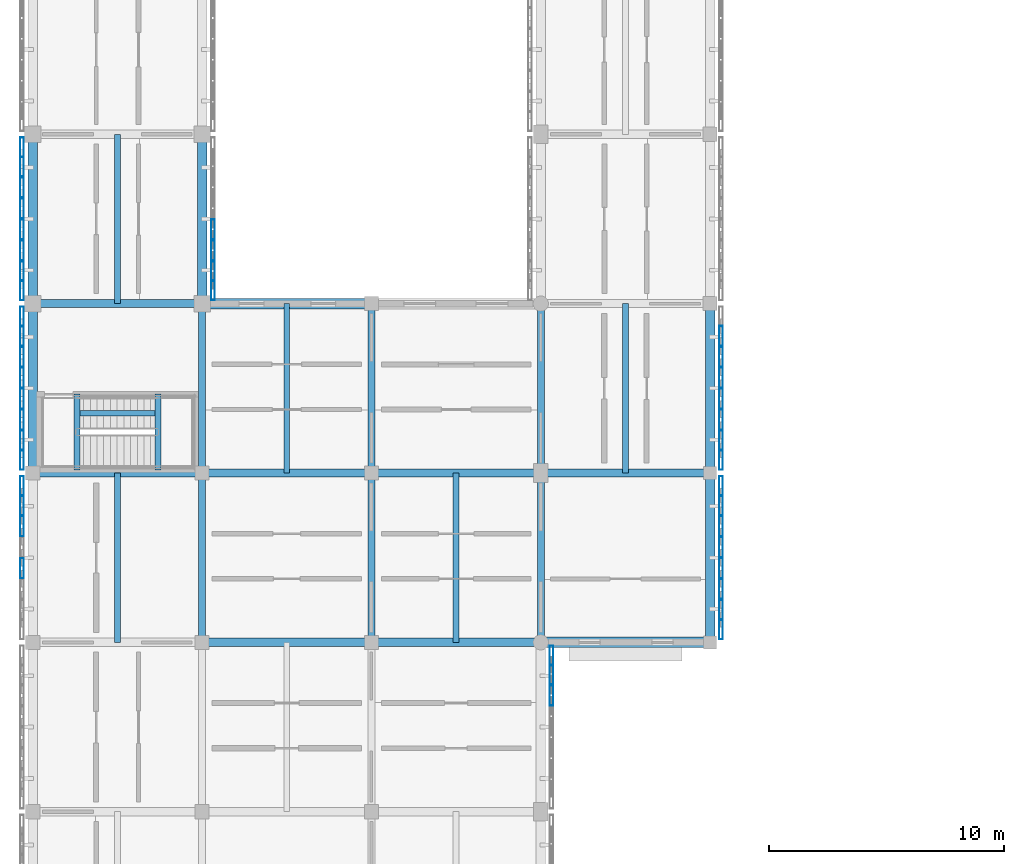
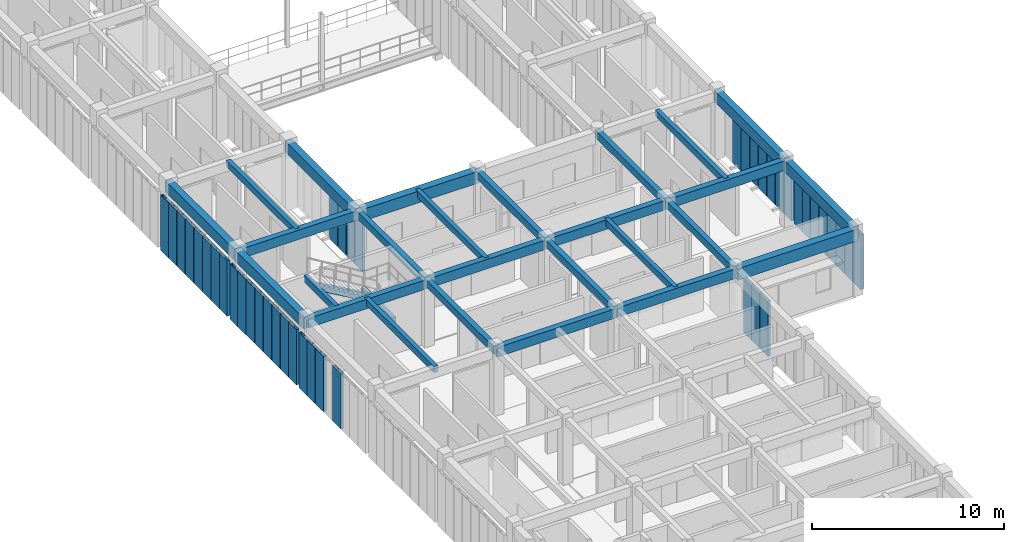
# One storey, part 10 of 171: 42 members, 28 beams, 7 elements without a shape of their own.
"""IFC4 building model written with IfcOpenShell, lengths in metres."""

from ifc_helpers import new_model, si_unit, direction, frame, origin, origin_2d, place, context, subcontext, project, spatial, rectangle, hollow_rectangle, extrude, material, material_profile, profile_set, type_object, element, aggregate, save


model = new_model("IFC4")

# Units and contexts
model_context = context("Model", 3, precision=1e-05, world=origin(), true_north=direction((0.0, 1.0)))
body_context = subcontext(model_context, "Body", "Model", "MODEL_VIEW")
ifc_project = project(units=[si_unit("LENGTHUNIT", "METRE"), si_unit("AREAUNIT", "SQUARE_METRE"), si_unit("VOLUMEUNIT", "CUBIC_METRE"), si_unit("PLANEANGLEUNIT", "RADIAN"), si_unit("MASSUNIT", "GRAM", prefix="KILO")], contexts=[model_context])

# Site, building, storey
site_placement = place(None, origin())
site = spatial("IfcSite", under=ifc_project, at=site_placement, CompositionType="ELEMENT")
building_placement = place(site_placement, origin())
building = spatial("IfcBuilding", under=site, at=building_placement, Name="Aldebral Square Health Centre", CompositionType="ELEMENT")
storey_placement = place(building_placement, frame((0.0, 0.0, 4.5)))
storey = spatial("IfcBuildingStorey", under=building, at=storey_placement, Name="L01", CompositionType="ELEMENT", Elevation=4.5)

# Beams
ifc_material_1 = material(Name="Concrete C40/50", Category="concrete")
ifc_material_profile_1 = material_profile(ifc_material_1, rectangle(XDim=0.35009765625, YDim=0.60009765625, at=origin_2d()), Name="RC 350x600")
ifc_profile_set_1 = profile_set([ifc_material_profile_1], Name="Concrete C40/50")
beam_type_1 = type_object("IfcBeamType", Name="BM-B2", PredefinedType="BEAM", material=ifc_profile_set_1)
for number, where, z_axis, x_axis, name in (
    (1, (0.0, 57.60009765625, 3.919921875), (1.0, 0.0, 0.0), (0.0, 1.0, 0.0), "L01 X-beam 1-2/G9"),
    (2, (0.0, 64.800048828125, 3.919921875), (1.0, 0.0, 0.0), (0.0, 1.0, 0.0), "L01 X-beam 1-2/G10"),
    (3, (7.199951171875, 50.39990234375, 3.919921875), (1.0, 0.0, 0.0), (0.0, 1.0, 0.0), "L01 X-beam 2-3/G8"),
    (4, (7.199951171875, 57.60009765625, 3.919921875), (1.0, 0.0, 0.0), (0.0, 1.0, 0.0), "L01 X-beam 2-3/G9"),
):
    element("IfcBeam", number, at=place(storey_placement, frame(where, z_axis=z_axis, x_axis=x_axis)), inside=storey, type_object=beam_type_1, Name=name, PredefinedType="BEAM", context=body_context, shape_type="SweptSolid", body=[
        extrude(rectangle(XDim=0.35009765625, YDim=0.60009765625, at=origin_2d()), origin(), (0.0, 0.0, 1.0), 7.199951171875),
    ])
for number, where, z_axis, x_axis, name in (
    (5, (14.39990234375, 50.39990234375, 3.919921875), (1.0, 0.0, 0.0), (0.0, 1.0, 0.0), "L01 X-beam 3-4/G8"),
    (6, (14.39990234375, 57.60009765625, 3.919921875), (1.0, 0.0, 0.0), (0.0, 1.0, 0.0), "L01 X-beam 3-4/G9"),
):
    element("IfcBeam", number, at=place(storey_placement, frame(where, z_axis=z_axis, x_axis=x_axis)), inside=storey, type_object=beam_type_1, Name=name, PredefinedType="BEAM", context=body_context, shape_type="SweptSolid", body=[
        extrude(rectangle(XDim=0.35009765625, YDim=0.60009765625, at=origin_2d()), origin(), (0.0, 0.0, 1.0), 7.2001953125),
    ])
beam_1_placement = place(storey_placement, frame((21.60009765625, 57.60009765625, 3.919921875), z_axis=(1.0, 0.0, 0.0), x_axis=(0.0, 1.0, 0.0)))
element("IfcBeam", 7, at=beam_1_placement, inside=storey, type_object=beam_type_1, Name="L01 X-beam 4-5/G9", PredefinedType="BEAM", context=body_context, shape_type="SweptSolid", body=[
    extrude(rectangle(XDim=0.35009765625, YDim=0.60009765625, at=origin_2d()), origin(), (0.0, 0.0, 1.0), 7.199951171875),
])
ifc_material_profile_2 = material_profile(ifc_material_1, rectangle(XDim=0.300048828125, YDim=0.449951171875, at=origin_2d()), Name="RC 300x450")
ifc_profile_set_2 = profile_set([ifc_material_profile_2], Name="Concrete C40/50")
beam_type_2 = type_object("IfcBeamType", Name="BM-B5", PredefinedType="BEAM", material=ifc_profile_set_2)
beam_2_placement = place(storey_placement, frame((7.199951171875, 50.39990234375, 3.9951171875), z_axis=(0.0, 1.0, 0.0), x_axis=(-1.0, 0.0, 0.0)))
element("IfcBeam", 8, at=beam_2_placement, inside=storey, type_object=beam_type_2, Name="L01 Y-beam G2/8-9", PredefinedType="BEAM", context=body_context, shape_type="SweptSolid", body=[
    extrude(rectangle(XDim=0.300048828125, YDim=0.449951171875, at=origin_2d()), origin(), (0.0, 0.0, 1.0), 7.2001953125),
])
beam_3_placement = place(storey_placement, frame((7.199951171875, 57.60009765625, 3.9951171875), z_axis=(0.0, 1.0, 0.0), x_axis=(-1.0, 0.0, 0.0)))
element("IfcBeam", 9, at=beam_3_placement, inside=storey, type_object=beam_type_2, Name="L01 Y-beam G2/9-10", PredefinedType="BEAM", context=body_context, shape_type="SweptSolid", body=[
    extrude(rectangle(XDim=0.300048828125, YDim=0.449951171875, at=origin_2d()), origin(), (0.0, 0.0, 1.0), 7.199951171875),
])
beam_4_placement = place(storey_placement, frame((14.39990234375, 50.39990234375, 3.9951171875), z_axis=(0.0, 1.0, 0.0), x_axis=(-1.0, 0.0, 0.0)))
element("IfcBeam", 10, at=beam_4_placement, inside=storey, type_object=beam_type_2, Name="L01 Y-beam G3/8-9", PredefinedType="BEAM", context=body_context, shape_type="SweptSolid", body=[
    extrude(rectangle(XDim=0.300048828125, YDim=0.449951171875, at=origin_2d()), origin(), (0.0, 0.0, 1.0), 7.2001953125),
])
beam_5_placement = place(storey_placement, frame((14.39990234375, 57.60009765625, 3.9951171875), z_axis=(0.0, 1.0, 0.0), x_axis=(-1.0, 0.0, 0.0)))
element("IfcBeam", 11, at=beam_5_placement, inside=storey, type_object=beam_type_2, Name="L01 Y-beam G3/9-10", PredefinedType="BEAM", context=body_context, shape_type="SweptSolid", body=[
    extrude(rectangle(XDim=0.300048828125, YDim=0.449951171875, at=origin_2d()), origin(), (0.0, 0.0, 1.0), 7.199951171875),
])
beam_6_placement = place(storey_placement, frame((21.60009765625, 50.39990234375, 3.9951171875), z_axis=(0.0, 1.0, 0.0), x_axis=(-1.0, 0.0, 0.0)))
element("IfcBeam", 12, at=beam_6_placement, inside=storey, type_object=beam_type_2, Name="L01 Y-beam G4/8-9", PredefinedType="BEAM", context=body_context, shape_type="SweptSolid", body=[
    extrude(rectangle(XDim=0.300048828125, YDim=0.449951171875, at=origin_2d()), origin(), (0.0, 0.0, 1.0), 7.2001953125),
])
beam_7_placement = place(storey_placement, frame((21.60009765625, 57.60009765625, 3.9951171875), z_axis=(0.0, 1.0, 0.0), x_axis=(-1.0, 0.0, 0.0)))
element("IfcBeam", 13, at=beam_7_placement, inside=storey, type_object=beam_type_2, Name="L01 Y-beam G4/9-10", PredefinedType="BEAM", context=body_context, shape_type="SweptSolid", body=[
    extrude(rectangle(XDim=0.300048828125, YDim=0.449951171875, at=origin_2d()), origin(), (0.0, 0.0, 1.0), 7.199951171875),
])
ifc_material_profile_3 = material_profile(ifc_material_1, rectangle(XDim=0.25, YDim=0.39990234375, at=origin_2d()), Name="RC 250x400")
ifc_profile_set_3 = profile_set([ifc_material_profile_3], Name="Concrete C40/50")
beam_type_3 = type_object("IfcBeamType", Name="BM-B6", PredefinedType="JOIST", material=ifc_profile_set_3)
beam_8_placement = place(storey_placement, frame((3.60009765625, 50.39990234375, 4.02001953125), z_axis=(0.0, 1.0, 0.0), x_axis=(-1.0, 0.0, 0.0)))
element("IfcBeam", 14, at=beam_8_placement, inside=storey, type_object=beam_type_3, Name="L01 secondary rib 1.8", PredefinedType="JOIST", context=body_context, shape_type="SweptSolid", body=[
    extrude(rectangle(XDim=0.25, YDim=0.39990234375, at=origin_2d()), origin(), (0.0, 0.0, 1.0), 7.2001953125),
])
for number, where, z_axis, x_axis, name in (
    (15, (3.60009765625, 64.800048828125, 4.02001953125), (0.0, 1.0, 0.0), (-1.0, 0.0, 0.0), "L01 secondary rib 1.10"),
    (16, (10.800048828125, 57.60009765625, 4.02001953125), (0.0, 1.0, 0.0), (-1.0, 0.0, 0.0), "L01 secondary rib 2.9"),
):
    element("IfcBeam", number, at=place(storey_placement, frame(where, z_axis=z_axis, x_axis=x_axis)), inside=storey, type_object=beam_type_3, Name=name, PredefinedType="JOIST", context=body_context, shape_type="SweptSolid", body=[
        extrude(rectangle(XDim=0.25, YDim=0.39990234375, at=origin_2d()), origin(), (0.0, 0.0, 1.0), 7.199951171875),
    ])
beam_9_placement = place(storey_placement, frame((18.0, 50.39990234375, 4.02001953125), z_axis=(0.0, 1.0, 0.0), x_axis=(-1.0, 0.0, 0.0)))
element("IfcBeam", 17, at=beam_9_placement, inside=storey, type_object=beam_type_3, Name="L01 secondary rib 3.8", PredefinedType="JOIST", context=body_context, shape_type="SweptSolid", body=[
    extrude(rectangle(XDim=0.25, YDim=0.39990234375, at=origin_2d()), origin(), (0.0, 0.0, 1.0), 7.2001953125),
])
beam_10_placement = place(storey_placement, frame((25.199951171875, 57.60009765625, 4.02001953125), z_axis=(0.0, 1.0, 0.0), x_axis=(-1.0, 0.0, 0.0)))
element("IfcBeam", 18, at=beam_10_placement, inside=storey, type_object=beam_type_3, Name="L01 secondary rib 4.9", PredefinedType="JOIST", context=body_context, shape_type="SweptSolid", body=[
    extrude(rectangle(XDim=0.25, YDim=0.39990234375, at=origin_2d()), origin(), (0.0, 0.0, 1.0), 7.199951171875),
])
for number, where, z_axis, x_axis, name in (
    (19, (5.320068359375, 57.72998046875, 2.050048828125), (0.0, 1.0, 0.0), (-1.0, 0.0, 0.0), "L01 WS-S11 half-landing beam"),
    (20, (1.8798828125, 57.72998046875, 4.02001953125), (0.0, 1.0, 0.0), (-1.0, 0.0, 0.0), "L01 WS-S11 upper landing beam"),
):
    element("IfcBeam", number, at=place(storey_placement, frame(where, z_axis=z_axis, x_axis=x_axis)), inside=storey, type_object=beam_type_3, Name=name, PredefinedType="JOIST", context=body_context, shape_type="SweptSolid", body=[
        extrude(rectangle(XDim=0.25, YDim=0.39990234375, at=origin_2d()), origin(), (0.0, 0.0, 1.0), 3.219970703125),
    ])
beam_11_placement = place(storey_placement, frame((5.320068359375, 60.139892578125, 2.050048828125), z_axis=(-0.867791792995, 0.0, 0.496927966622), x_axis=(0.0, -1.0, 0.0)))
element("IfcBeam", 21, at=beam_11_placement, inside=storey, type_object=beam_type_3, Name="L01 WS-S11 flight stringer beam", PredefinedType="JOIST", context=body_context, shape_type="SweptSolid", body=[
    extrude(rectangle(XDim=0.25, YDim=0.39990234375, at=origin_2d()), origin(), (0.0, 0.0, 1.0), 3.96435546875),
])
ifc_material_profile_4 = material_profile(ifc_material_1, rectangle(XDim=0.449951171875, YDim=0.75, at=origin_2d()), Name="RC 450x750")
ifc_profile_set_4 = profile_set([ifc_material_profile_4], Name="Concrete C40/50")
beam_type_4 = type_object("IfcBeamType", Name="BM-G2", PredefinedType="T_BEAM", material=ifc_profile_set_4)
for number, where, z_axis, x_axis, name in (
    (22, (7.199951171875, 64.800048828125, 3.844970703125), (1.0, 0.0, 0.0), (0.0, 1.0, 0.0), "L01 X-beam 2-3/G10"),
    (23, (21.60009765625, 50.39990234375, 3.844970703125), (1.0, 0.0, 0.0), (0.0, 1.0, 0.0), "L01 X-beam 4-5/G8"),
):
    element("IfcBeam", number, at=place(storey_placement, frame(where, z_axis=z_axis, x_axis=x_axis)), inside=storey, type_object=beam_type_4, Name=name, PredefinedType="T_BEAM", context=body_context, shape_type="SweptSolid", body=[
        extrude(rectangle(XDim=0.449951171875, YDim=0.75, at=origin_2d()), origin(), (0.0, 0.0, 1.0), 7.199951171875),
    ])
ifc_material_profile_5 = material_profile(ifc_material_1, rectangle(XDim=0.39990234375, YDim=0.699951171875, at=origin_2d()), Name="RC 400x700")
ifc_profile_set_5 = profile_set([ifc_material_profile_5], Name="Concrete C40/50")
beam_type_5 = type_object("IfcBeamType", Name="BM-G3", PredefinedType="T_BEAM", material=ifc_profile_set_5)
for number, where, z_axis, x_axis, name in (
    (24, (0.0, 57.60009765625, 3.8701171875), (0.0, 1.0, 0.0), (-1.0, 0.0, 0.0), "L01 Y-beam G1/9-10"),
    (25, (0.0, 64.800048828125, 3.8701171875), (0.0, 1.0, 0.0), (-1.0, 0.0, 0.0), "L01 Y-beam G1/10-11"),
    (26, (7.199951171875, 64.800048828125, 3.8701171875), (0.0, 1.0, 0.0), (-1.0, 0.0, 0.0), "L01 Y-beam G2/10-11"),
):
    element("IfcBeam", number, at=place(storey_placement, frame(where, z_axis=z_axis, x_axis=x_axis)), inside=storey, type_object=beam_type_5, Name=name, PredefinedType="T_BEAM", context=body_context, shape_type="SweptSolid", body=[
        extrude(rectangle(XDim=0.39990234375, YDim=0.699951171875, at=origin_2d()), origin(), (0.0, 0.0, 1.0), 7.199951171875),
    ])
beam_12_placement = place(storey_placement, frame((28.800048828125, 50.39990234375, 3.8701171875), z_axis=(0.0, 1.0, 0.0), x_axis=(-1.0, 0.0, 0.0)))
element("IfcBeam", 27, at=beam_12_placement, inside=storey, type_object=beam_type_5, Name="L01 Y-beam G5/8-9", PredefinedType="T_BEAM", context=body_context, shape_type="SweptSolid", body=[
    extrude(rectangle(XDim=0.39990234375, YDim=0.699951171875, at=origin_2d()), origin(), (0.0, 0.0, 1.0), 7.2001953125),
])
beam_13_placement = place(storey_placement, frame((28.800048828125, 57.60009765625, 3.8701171875), z_axis=(0.0, 1.0, 0.0), x_axis=(-1.0, 0.0, 0.0)))
element("IfcBeam", 28, at=beam_13_placement, inside=storey, type_object=beam_type_5, Name="L01 Y-beam G5/9-10", PredefinedType="T_BEAM", context=body_context, shape_type="SweptSolid", body=[
    extrude(rectangle(XDim=0.39990234375, YDim=0.699951171875, at=origin_2d()), origin(), (0.0, 0.0, 1.0), 7.199951171875),
])

# Curtain wall, members
ifc_material_2 = material(Name="Aluminium and low-E solar glass", Category="aluminium")
curtain_wall_type = type_object("IfcCurtainWallType", Name="CW-FIN-SYS", PredefinedType="USERDEFINED", material=ifc_material_2)
curtain_wall_1_placement = place(storey_placement, origin())
curtain_wall_1 = element("IfcCurtainWall", 29, at=curtain_wall_1_placement, inside=storey, type_object=curtain_wall_type, Name="L01 V4 finned curtain wall L01-V4-00-07-W", ObjectType="SOLAR_CURTAIN_WALL", PredefinedType="USERDEFINED")
ifc_material_3 = material(Name="Sienna-terracotta clad aluminium fin", Category="masonry")
ifc_material_profile_6 = material_profile(ifc_material_3, hollow_rectangle(XDim=0.159912109375, YDim=0.85009765625, WallThickness=0.006103515625, at=origin_2d()), Name="FIN 160x850x6")
ifc_profile_set_6 = profile_set([ifc_material_profile_6], Name="Sienna-terracotta clad aluminium fin")
member_type = type_object("IfcMemberType", Name="CWM-FIN", PredefinedType="MULLION", material=ifc_profile_set_6)
member_1_placement = place(storey_placement, frame((-0.4599609375, 57.0400390625, 0.0), z_axis=(0.0, 0.0, 1.0), x_axis=(1.0, 0.0, 0.0)))
member_1 = element("IfcMember", 30, at=member_1_placement, type_object=member_type, Name="CW1 mullion 1", PredefinedType="MULLION", context=body_context, shape_type="SweptSolid", body=[
    extrude(hollow_rectangle(XDim=0.159912109375, YDim=0.85009765625, WallThickness=0.006103515625, at=origin_2d()), origin(), (0.0, 0.0, 1.0), 3.52001953125),
])
member_2_placement = place(storey_placement, frame((-0.4599609375, 56.228515625, 0.0), z_axis=(0.0, 0.0, 1.0), x_axis=(1.0, 0.0, 0.0)))
member_2 = element("IfcMember", 31, at=member_2_placement, type_object=member_type, Name="CW1 mullion 2", PredefinedType="MULLION", context=body_context, shape_type="SweptSolid", body=[
    extrude(hollow_rectangle(XDim=0.159912109375, YDim=0.85009765625, WallThickness=0.006103515625, at=origin_2d()), origin(), (0.0, 0.0, 1.0), 3.52001953125),
])
member_3_placement = place(storey_placement, frame((-0.4599609375, 55.337158203125, 0.0), z_axis=(0.0, 0.0, 1.0), x_axis=(1.0, 0.0, 0.0)))
member_3 = element("IfcMember", 32, at=member_3_placement, type_object=member_type, Name="CW1 mullion 3", PredefinedType="MULLION", context=body_context, shape_type="SweptSolid", body=[
    extrude(hollow_rectangle(XDim=0.159912109375, YDim=0.85009765625, WallThickness=0.006103515625, at=origin_2d()), origin(), (0.0, 0.0, 1.0), 3.52001953125),
])
member_4_placement = place(storey_placement, frame((-0.4599609375, 53.55419921875, 0.0), z_axis=(0.0, 0.0, 1.0), x_axis=(1.0, 0.0, 0.0)))
member_4 = element("IfcMember", 33, at=member_4_placement, type_object=member_type, Name="CW1 mullion 5", PredefinedType="MULLION", context=body_context, shape_type="SweptSolid", body=[
    extrude(hollow_rectangle(XDim=0.159912109375, YDim=0.85009765625, WallThickness=0.006103515625, at=origin_2d()), origin(), (0.0, 0.0, 1.0), 3.52001953125),
])
aggregate(curtain_wall_1, [member_1, member_2, member_3, member_4])

curtain_wall_2_placement = place(storey_placement, origin())
curtain_wall_2 = element("IfcCurtainWall", 34, at=curtain_wall_2_placement, inside=storey, type_object=curtain_wall_type, Name="L01 V4 finned curtain wall L01-V4-00-08-W", ObjectType="SOLAR_CURTAIN_WALL", PredefinedType="USERDEFINED")
member_5_placement = place(storey_placement, frame((-0.4599609375, 64.239990234375, 0.0), z_axis=(0.0, 0.0, 1.0), x_axis=(1.0, 0.0, 0.0)))
member_5 = element("IfcMember", 35, at=member_5_placement, type_object=member_type, Name="CW1 mullion 1", PredefinedType="MULLION", context=body_context, shape_type="SweptSolid", body=[
    extrude(hollow_rectangle(XDim=0.159912109375, YDim=0.85009765625, WallThickness=0.006103515625, at=origin_2d()), origin(), (0.0, 0.0, 1.0), 3.52001953125),
])
member_6_placement = place(storey_placement, frame((-0.4599609375, 63.428466796875, 0.0), z_axis=(0.0, 0.0, 1.0), x_axis=(1.0, 0.0, 0.0)))
member_6 = element("IfcMember", 36, at=member_6_placement, type_object=member_type, Name="CW1 mullion 2", PredefinedType="MULLION", context=body_context, shape_type="SweptSolid", body=[
    extrude(hollow_rectangle(XDim=0.159912109375, YDim=0.85009765625, WallThickness=0.006103515625, at=origin_2d()), origin(), (0.0, 0.0, 1.0), 3.52001953125),
])
member_7_placement = place(storey_placement, frame((-0.4599609375, 62.537109375, 0.0), z_axis=(0.0, 0.0, 1.0), x_axis=(1.0, 0.0, 0.0)))
member_7 = element("IfcMember", 37, at=member_7_placement, type_object=member_type, Name="CW1 mullion 3", PredefinedType="MULLION", context=body_context, shape_type="SweptSolid", body=[
    extrude(hollow_rectangle(XDim=0.159912109375, YDim=0.85009765625, WallThickness=0.006103515625, at=origin_2d()), origin(), (0.0, 0.0, 1.0), 3.52001953125),
])
member_8_placement = place(storey_placement, frame((-0.4599609375, 61.645751953125, 0.0), z_axis=(0.0, 0.0, 1.0), x_axis=(1.0, 0.0, 0.0)))
member_8 = element("IfcMember", 38, at=member_8_placement, type_object=member_type, Name="CW1 mullion 4", PredefinedType="MULLION", context=body_context, shape_type="SweptSolid", body=[
    extrude(hollow_rectangle(XDim=0.159912109375, YDim=0.85009765625, WallThickness=0.006103515625, at=origin_2d()), origin(), (0.0, 0.0, 1.0), 3.52001953125),
])
member_9_placement = place(storey_placement, frame((-0.4599609375, 60.75439453125, 0.0), z_axis=(0.0, 0.0, 1.0), x_axis=(1.0, 0.0, 0.0)))
member_9 = element("IfcMember", 39, at=member_9_placement, type_object=member_type, Name="CW1 mullion 5", PredefinedType="MULLION", context=body_context, shape_type="SweptSolid", body=[
    extrude(hollow_rectangle(XDim=0.159912109375, YDim=0.85009765625, WallThickness=0.006103515625, at=origin_2d()), origin(), (0.0, 0.0, 1.0), 3.52001953125),
])
member_10_placement = place(storey_placement, frame((-0.4599609375, 59.86279296875, 0.0), z_axis=(0.0, 0.0, 1.0), x_axis=(1.0, 0.0, 0.0)))
member_10 = element("IfcMember", 40, at=member_10_placement, type_object=member_type, Name="CW1 mullion 6", PredefinedType="MULLION", context=body_context, shape_type="SweptSolid", body=[
    extrude(hollow_rectangle(XDim=0.159912109375, YDim=0.85009765625, WallThickness=0.006103515625, at=origin_2d()), origin(), (0.0, 0.0, 1.0), 3.52001953125),
])
member_11_placement = place(storey_placement, frame((-0.4599609375, 58.971435546875, 0.0), z_axis=(0.0, 0.0, 1.0), x_axis=(1.0, 0.0, 0.0)))
member_11 = element("IfcMember", 41, at=member_11_placement, type_object=member_type, Name="CW1 mullion 7", PredefinedType="MULLION", context=body_context, shape_type="SweptSolid", body=[
    extrude(hollow_rectangle(XDim=0.159912109375, YDim=0.85009765625, WallThickness=0.006103515625, at=origin_2d()), origin(), (0.0, 0.0, 1.0), 3.52001953125),
])
member_12_placement = place(storey_placement, frame((-0.4599609375, 58.159912109375, 0.0), z_axis=(0.0, 0.0, 1.0), x_axis=(1.0, 0.0, 0.0)))
member_12 = element("IfcMember", 42, at=member_12_placement, type_object=member_type, Name="CW1 mullion 8", PredefinedType="MULLION", context=body_context, shape_type="SweptSolid", body=[
    extrude(hollow_rectangle(XDim=0.159912109375, YDim=0.85009765625, WallThickness=0.006103515625, at=origin_2d()), origin(), (0.0, 0.0, 1.0), 3.52001953125),
])
aggregate(curtain_wall_2, [member_5, member_6, member_7, member_8, member_9, member_10, member_11, member_12])

curtain_wall_3_placement = place(storey_placement, origin())
curtain_wall_3 = element("IfcCurtainWall", 43, at=curtain_wall_3_placement, inside=storey, type_object=curtain_wall_type, Name="L01 V4 finned curtain wall L01-V4-00-09-W", ObjectType="SOLAR_CURTAIN_WALL", PredefinedType="USERDEFINED")
member_13_placement = place(storey_placement, frame((-0.4599609375, 71.43994140625, 0.0), z_axis=(0.0, 0.0, 1.0), x_axis=(1.0, 0.0, 0.0)))
member_13 = element("IfcMember", 44, at=member_13_placement, type_object=member_type, Name="CW1 mullion 1", PredefinedType="MULLION", context=body_context, shape_type="SweptSolid", body=[
    extrude(hollow_rectangle(XDim=0.159912109375, YDim=0.85009765625, WallThickness=0.006103515625, at=origin_2d()), origin(), (0.0, 0.0, 1.0), 3.52001953125),
])
member_14_placement = place(storey_placement, frame((-0.4599609375, 70.628662109375, 0.0), z_axis=(0.0, 0.0, 1.0), x_axis=(1.0, 0.0, 0.0)))
member_14 = element("IfcMember", 45, at=member_14_placement, type_object=member_type, Name="CW1 mullion 2", PredefinedType="MULLION", context=body_context, shape_type="SweptSolid", body=[
    extrude(hollow_rectangle(XDim=0.159912109375, YDim=0.85009765625, WallThickness=0.006103515625, at=origin_2d()), origin(), (0.0, 0.0, 1.0), 3.52001953125),
])
member_15_placement = place(storey_placement, frame((-0.4599609375, 69.737060546875, 0.0), z_axis=(0.0, 0.0, 1.0), x_axis=(1.0, 0.0, 0.0)))
member_15 = element("IfcMember", 46, at=member_15_placement, type_object=member_type, Name="CW1 mullion 3", PredefinedType="MULLION", context=body_context, shape_type="SweptSolid", body=[
    extrude(hollow_rectangle(XDim=0.159912109375, YDim=0.85009765625, WallThickness=0.006103515625, at=origin_2d()), origin(), (0.0, 0.0, 1.0), 3.52001953125),
])
member_16_placement = place(storey_placement, frame((-0.4599609375, 68.845703125, 0.0), z_axis=(0.0, 0.0, 1.0), x_axis=(1.0, 0.0, 0.0)))
member_16 = element("IfcMember", 47, at=member_16_placement, type_object=member_type, Name="CW1 mullion 4", PredefinedType="MULLION", context=body_context, shape_type="SweptSolid", body=[
    extrude(hollow_rectangle(XDim=0.159912109375, YDim=0.85009765625, WallThickness=0.006103515625, at=origin_2d()), origin(), (0.0, 0.0, 1.0), 3.52001953125),
])
member_17_placement = place(storey_placement, frame((-0.4599609375, 67.954345703125, 0.0), z_axis=(0.0, 0.0, 1.0), x_axis=(1.0, 0.0, 0.0)))
member_17 = element("IfcMember", 48, at=member_17_placement, type_object=member_type, Name="CW1 mullion 5", PredefinedType="MULLION", context=body_context, shape_type="SweptSolid", body=[
    extrude(hollow_rectangle(XDim=0.159912109375, YDim=0.85009765625, WallThickness=0.006103515625, at=origin_2d()), origin(), (0.0, 0.0, 1.0), 3.52001953125),
])
member_18_placement = place(storey_placement, frame((-0.4599609375, 67.062744140625, 0.0), z_axis=(0.0, 0.0, 1.0), x_axis=(1.0, 0.0, 0.0)))
member_18 = element("IfcMember", 49, at=member_18_placement, type_object=member_type, Name="CW1 mullion 6", PredefinedType="MULLION", context=body_context, shape_type="SweptSolid", body=[
    extrude(hollow_rectangle(XDim=0.159912109375, YDim=0.85009765625, WallThickness=0.006103515625, at=origin_2d()), origin(), (0.0, 0.0, 1.0), 3.52001953125),
])
member_19_placement = place(storey_placement, frame((-0.4599609375, 66.17138671875, 0.0), z_axis=(0.0, 0.0, 1.0), x_axis=(1.0, 0.0, 0.0)))
member_19 = element("IfcMember", 50, at=member_19_placement, type_object=member_type, Name="CW1 mullion 7", PredefinedType="MULLION", context=body_context, shape_type="SweptSolid", body=[
    extrude(hollow_rectangle(XDim=0.159912109375, YDim=0.85009765625, WallThickness=0.006103515625, at=origin_2d()), origin(), (0.0, 0.0, 1.0), 3.52001953125),
])
member_20_placement = place(storey_placement, frame((-0.4599609375, 65.360107421875, 0.0), z_axis=(0.0, 0.0, 1.0), x_axis=(1.0, 0.0, 0.0)))
member_20 = element("IfcMember", 51, at=member_20_placement, type_object=member_type, Name="CW1 mullion 8", PredefinedType="MULLION", context=body_context, shape_type="SweptSolid", body=[
    extrude(hollow_rectangle(XDim=0.159912109375, YDim=0.85009765625, WallThickness=0.006103515625, at=origin_2d()), origin(), (0.0, 0.0, 1.0), 3.52001953125),
])
aggregate(curtain_wall_3, [member_13, member_14, member_15, member_16, member_17, member_18, member_19, member_20])

curtain_wall_4_placement = place(storey_placement, origin())
curtain_wall_4 = element("IfcCurtainWall", 52, at=curtain_wall_4_placement, inside=storey, type_object=curtain_wall_type, Name="L01 V4 finned curtain wall L01-V4-00-09-E", ObjectType="SOLAR_CURTAIN_WALL", PredefinedType="USERDEFINED")
member_21_placement = place(storey_placement, frame((7.659912109375, 65.360107421875, 0.0), z_axis=(0.0, 0.0, 1.0), x_axis=(-1.0, 0.0, 0.0)))
member_21 = element("IfcMember", 53, at=member_21_placement, type_object=member_type, Name="CW1 mullion 1", PredefinedType="MULLION", context=body_context, shape_type="SweptSolid", body=[
    extrude(hollow_rectangle(XDim=0.159912109375, YDim=0.85009765625, WallThickness=0.006103515625, at=origin_2d()), origin(), (0.0, 0.0, 1.0), 3.52001953125),
])
member_22_placement = place(storey_placement, frame((7.659912109375, 66.17138671875, 0.0), z_axis=(0.0, 0.0, 1.0), x_axis=(-1.0, 0.0, 0.0)))
member_22 = element("IfcMember", 54, at=member_22_placement, type_object=member_type, Name="CW1 mullion 2", PredefinedType="MULLION", context=body_context, shape_type="SweptSolid", body=[
    extrude(hollow_rectangle(XDim=0.159912109375, YDim=0.85009765625, WallThickness=0.006103515625, at=origin_2d()), origin(), (0.0, 0.0, 1.0), 3.52001953125),
])
member_23_placement = place(storey_placement, frame((7.659912109375, 67.062744140625, 0.0), z_axis=(0.0, 0.0, 1.0), x_axis=(-1.0, 0.0, 0.0)))
member_23 = element("IfcMember", 55, at=member_23_placement, type_object=member_type, Name="CW1 mullion 3", PredefinedType="MULLION", context=body_context, shape_type="SweptSolid", body=[
    extrude(hollow_rectangle(XDim=0.159912109375, YDim=0.85009765625, WallThickness=0.006103515625, at=origin_2d()), origin(), (0.0, 0.0, 1.0), 3.52001953125),
])
member_24_placement = place(storey_placement, frame((7.659912109375, 67.954345703125, 0.0), z_axis=(0.0, 0.0, 1.0), x_axis=(-1.0, 0.0, 0.0)))
member_24 = element("IfcMember", 56, at=member_24_placement, type_object=member_type, Name="CW1 mullion 4", PredefinedType="MULLION", context=body_context, shape_type="SweptSolid", body=[
    extrude(hollow_rectangle(XDim=0.159912109375, YDim=0.85009765625, WallThickness=0.006103515625, at=origin_2d()), origin(), (0.0, 0.0, 1.0), 3.52001953125),
])
aggregate(curtain_wall_4, [member_21, member_22, member_23, member_24])

curtain_wall_5_placement = place(storey_placement, origin())
curtain_wall_5 = element("IfcCurtainWall", 57, at=curtain_wall_5_placement, inside=storey, type_object=curtain_wall_type, Name="L01 V6 finned curtain wall L01-V6-02-06-E", ObjectType="SOLAR_CURTAIN_WALL", PredefinedType="USERDEFINED")
member_25_placement = place(storey_placement, frame((22.06005859375, 48.13720703125, 0.0), z_axis=(0.0, 0.0, 1.0), x_axis=(-1.0, 0.0, 0.0)))
member_25 = element("IfcMember", 58, at=member_25_placement, type_object=member_type, Name="CW1 mullion 6", PredefinedType="MULLION", context=body_context, shape_type="SweptSolid", body=[
    extrude(hollow_rectangle(XDim=0.159912109375, YDim=0.85009765625, WallThickness=0.006103515625, at=origin_2d()), origin(), (0.0, 0.0, 1.0), 3.52001953125),
])
member_26_placement = place(storey_placement, frame((22.06005859375, 49.028564453125, 0.0), z_axis=(0.0, 0.0, 1.0), x_axis=(-1.0, 0.0, 0.0)))
member_26 = element("IfcMember", 59, at=member_26_placement, type_object=member_type, Name="CW1 mullion 7", PredefinedType="MULLION", context=body_context, shape_type="SweptSolid", body=[
    extrude(hollow_rectangle(XDim=0.159912109375, YDim=0.85009765625, WallThickness=0.006103515625, at=origin_2d()), origin(), (0.0, 0.0, 1.0), 3.52001953125),
])
member_27_placement = place(storey_placement, frame((22.06005859375, 49.840087890625, 0.0), z_axis=(0.0, 0.0, 1.0), x_axis=(-1.0, 0.0, 0.0)))
member_27 = element("IfcMember", 60, at=member_27_placement, type_object=member_type, Name="CW1 mullion 8", PredefinedType="MULLION", context=body_context, shape_type="SweptSolid", body=[
    extrude(hollow_rectangle(XDim=0.159912109375, YDim=0.85009765625, WallThickness=0.006103515625, at=origin_2d()), origin(), (0.0, 0.0, 1.0), 3.52001953125),
])
aggregate(curtain_wall_5, [member_25, member_26, member_27])

curtain_wall_6_placement = place(storey_placement, origin())
curtain_wall_6 = element("IfcCurtainWall", 61, at=curtain_wall_6_placement, inside=storey, type_object=curtain_wall_type, Name="L01 V4 finned curtain wall L01-V4-03-07-E", ObjectType="SOLAR_CURTAIN_WALL", PredefinedType="USERDEFINED")
member_28_placement = place(storey_placement, frame((29.260009765625, 50.9599609375, 0.0), z_axis=(0.0, 0.0, 1.0), x_axis=(-1.0, 0.0, 0.0)))
member_28 = element("IfcMember", 62, at=member_28_placement, type_object=member_type, Name="CW1 mullion 1", PredefinedType="MULLION", context=body_context, shape_type="SweptSolid", body=[
    extrude(hollow_rectangle(XDim=0.159912109375, YDim=0.85009765625, WallThickness=0.006103515625, at=origin_2d()), origin(), (0.0, 0.0, 1.0), 3.52001953125),
])
member_29_placement = place(storey_placement, frame((29.260009765625, 51.771484375, 0.0), z_axis=(0.0, 0.0, 1.0), x_axis=(-1.0, 0.0, 0.0)))
member_29 = element("IfcMember", 63, at=member_29_placement, type_object=member_type, Name="CW1 mullion 2", PredefinedType="MULLION", context=body_context, shape_type="SweptSolid", body=[
    extrude(hollow_rectangle(XDim=0.159912109375, YDim=0.85009765625, WallThickness=0.006103515625, at=origin_2d()), origin(), (0.0, 0.0, 1.0), 3.52001953125),
])
member_30_placement = place(storey_placement, frame((29.260009765625, 52.662841796875, 0.0), z_axis=(0.0, 0.0, 1.0), x_axis=(-1.0, 0.0, 0.0)))
member_30 = element("IfcMember", 64, at=member_30_placement, type_object=member_type, Name="CW1 mullion 3", PredefinedType="MULLION", context=body_context, shape_type="SweptSolid", body=[
    extrude(hollow_rectangle(XDim=0.159912109375, YDim=0.85009765625, WallThickness=0.006103515625, at=origin_2d()), origin(), (0.0, 0.0, 1.0), 3.52001953125),
])
member_31_placement = place(storey_placement, frame((29.260009765625, 53.55419921875, 0.0), z_axis=(0.0, 0.0, 1.0), x_axis=(-1.0, 0.0, 0.0)))
member_31 = element("IfcMember", 65, at=member_31_placement, type_object=member_type, Name="CW1 mullion 4", PredefinedType="MULLION", context=body_context, shape_type="SweptSolid", body=[
    extrude(hollow_rectangle(XDim=0.159912109375, YDim=0.85009765625, WallThickness=0.006103515625, at=origin_2d()), origin(), (0.0, 0.0, 1.0), 3.52001953125),
])
member_32_placement = place(storey_placement, frame((29.260009765625, 54.44580078125, 0.0), z_axis=(0.0, 0.0, 1.0), x_axis=(-1.0, 0.0, 0.0)))
member_32 = element("IfcMember", 66, at=member_32_placement, type_object=member_type, Name="CW1 mullion 5", PredefinedType="MULLION", context=body_context, shape_type="SweptSolid", body=[
    extrude(hollow_rectangle(XDim=0.159912109375, YDim=0.85009765625, WallThickness=0.006103515625, at=origin_2d()), origin(), (0.0, 0.0, 1.0), 3.52001953125),
])
member_33_placement = place(storey_placement, frame((29.260009765625, 55.337158203125, 0.0), z_axis=(0.0, 0.0, 1.0), x_axis=(-1.0, 0.0, 0.0)))
member_33 = element("IfcMember", 67, at=member_33_placement, type_object=member_type, Name="CW1 mullion 6", PredefinedType="MULLION", context=body_context, shape_type="SweptSolid", body=[
    extrude(hollow_rectangle(XDim=0.159912109375, YDim=0.85009765625, WallThickness=0.006103515625, at=origin_2d()), origin(), (0.0, 0.0, 1.0), 3.52001953125),
])
member_34_placement = place(storey_placement, frame((29.260009765625, 56.228515625, 0.0), z_axis=(0.0, 0.0, 1.0), x_axis=(-1.0, 0.0, 0.0)))
member_34 = element("IfcMember", 68, at=member_34_placement, type_object=member_type, Name="CW1 mullion 7", PredefinedType="MULLION", context=body_context, shape_type="SweptSolid", body=[
    extrude(hollow_rectangle(XDim=0.159912109375, YDim=0.85009765625, WallThickness=0.006103515625, at=origin_2d()), origin(), (0.0, 0.0, 1.0), 3.52001953125),
])
member_35_placement = place(storey_placement, frame((29.260009765625, 57.0400390625, 0.0), z_axis=(0.0, 0.0, 1.0), x_axis=(-1.0, 0.0, 0.0)))
member_35 = element("IfcMember", 69, at=member_35_placement, type_object=member_type, Name="CW1 mullion 8", PredefinedType="MULLION", context=body_context, shape_type="SweptSolid", body=[
    extrude(hollow_rectangle(XDim=0.159912109375, YDim=0.85009765625, WallThickness=0.006103515625, at=origin_2d()), origin(), (0.0, 0.0, 1.0), 3.52001953125),
])
aggregate(curtain_wall_6, [member_28, member_29, member_30, member_31, member_32, member_33, member_34, member_35])

curtain_wall_7_placement = place(storey_placement, origin())
curtain_wall_7 = element("IfcCurtainWall", 70, at=curtain_wall_7_placement, inside=storey, type_object=curtain_wall_type, Name="L01 V4 finned curtain wall L01-V4-03-08-E", ObjectType="SOLAR_CURTAIN_WALL", PredefinedType="USERDEFINED")
member_36_placement = place(storey_placement, frame((29.260009765625, 58.159912109375, 0.0), z_axis=(0.0, 0.0, 1.0), x_axis=(-1.0, 0.0, 0.0)))
member_36 = element("IfcMember", 71, at=member_36_placement, type_object=member_type, Name="CW1 mullion 1", PredefinedType="MULLION", context=body_context, shape_type="SweptSolid", body=[
    extrude(hollow_rectangle(XDim=0.159912109375, YDim=0.85009765625, WallThickness=0.006103515625, at=origin_2d()), origin(), (0.0, 0.0, 1.0), 3.52001953125),
])
member_37_placement = place(storey_placement, frame((29.260009765625, 58.971435546875, 0.0), z_axis=(0.0, 0.0, 1.0), x_axis=(-1.0, 0.0, 0.0)))
member_37 = element("IfcMember", 72, at=member_37_placement, type_object=member_type, Name="CW1 mullion 2", PredefinedType="MULLION", context=body_context, shape_type="SweptSolid", body=[
    extrude(hollow_rectangle(XDim=0.159912109375, YDim=0.85009765625, WallThickness=0.006103515625, at=origin_2d()), origin(), (0.0, 0.0, 1.0), 3.52001953125),
])
member_38_placement = place(storey_placement, frame((29.260009765625, 59.86279296875, 0.0), z_axis=(0.0, 0.0, 1.0), x_axis=(-1.0, 0.0, 0.0)))
member_38 = element("IfcMember", 73, at=member_38_placement, type_object=member_type, Name="CW1 mullion 3", PredefinedType="MULLION", context=body_context, shape_type="SweptSolid", body=[
    extrude(hollow_rectangle(XDim=0.159912109375, YDim=0.85009765625, WallThickness=0.006103515625, at=origin_2d()), origin(), (0.0, 0.0, 1.0), 3.52001953125),
])
member_39_placement = place(storey_placement, frame((29.260009765625, 60.75439453125, 0.0), z_axis=(0.0, 0.0, 1.0), x_axis=(-1.0, 0.0, 0.0)))
member_39 = element("IfcMember", 74, at=member_39_placement, type_object=member_type, Name="CW1 mullion 4", PredefinedType="MULLION", context=body_context, shape_type="SweptSolid", body=[
    extrude(hollow_rectangle(XDim=0.159912109375, YDim=0.85009765625, WallThickness=0.006103515625, at=origin_2d()), origin(), (0.0, 0.0, 1.0), 3.52001953125),
])
member_40_placement = place(storey_placement, frame((29.260009765625, 61.645751953125, 0.0), z_axis=(0.0, 0.0, 1.0), x_axis=(-1.0, 0.0, 0.0)))
member_40 = element("IfcMember", 75, at=member_40_placement, type_object=member_type, Name="CW1 mullion 5", PredefinedType="MULLION", context=body_context, shape_type="SweptSolid", body=[
    extrude(hollow_rectangle(XDim=0.159912109375, YDim=0.85009765625, WallThickness=0.006103515625, at=origin_2d()), origin(), (0.0, 0.0, 1.0), 3.52001953125),
])
member_41_placement = place(storey_placement, frame((29.260009765625, 62.537109375, 0.0), z_axis=(0.0, 0.0, 1.0), x_axis=(-1.0, 0.0, 0.0)))
member_41 = element("IfcMember", 76, at=member_41_placement, type_object=member_type, Name="CW1 mullion 6", PredefinedType="MULLION", context=body_context, shape_type="SweptSolid", body=[
    extrude(hollow_rectangle(XDim=0.159912109375, YDim=0.85009765625, WallThickness=0.006103515625, at=origin_2d()), origin(), (0.0, 0.0, 1.0), 3.52001953125),
])
member_42_placement = place(storey_placement, frame((29.260009765625, 63.428466796875, 0.0), z_axis=(0.0, 0.0, 1.0), x_axis=(-1.0, 0.0, 0.0)))
member_42 = element("IfcMember", 77, at=member_42_placement, type_object=member_type, Name="CW1 mullion 7", PredefinedType="MULLION", context=body_context, shape_type="SweptSolid", body=[
    extrude(hollow_rectangle(XDim=0.159912109375, YDim=0.85009765625, WallThickness=0.006103515625, at=origin_2d()), origin(), (0.0, 0.0, 1.0), 3.52001953125),
])
aggregate(curtain_wall_7, [member_36, member_37, member_38, member_39, member_40, member_41, member_42])

save(model, "model.ifc")
